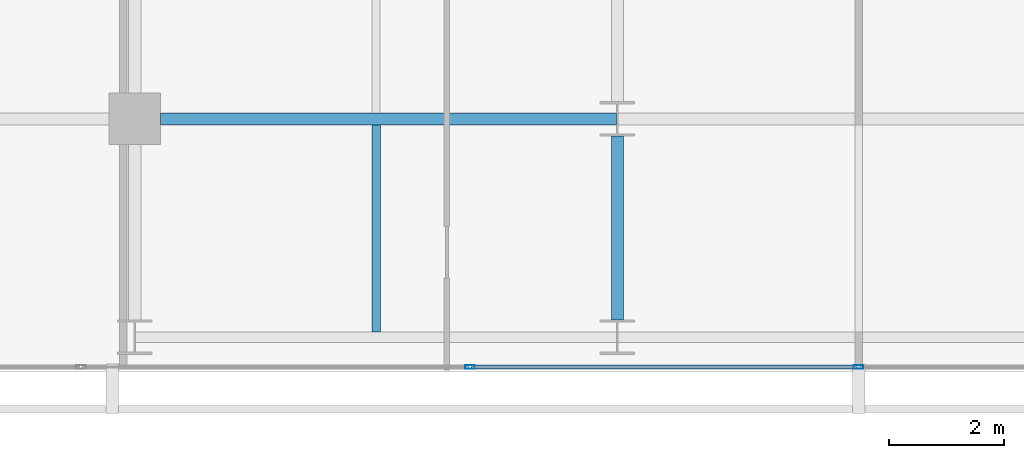
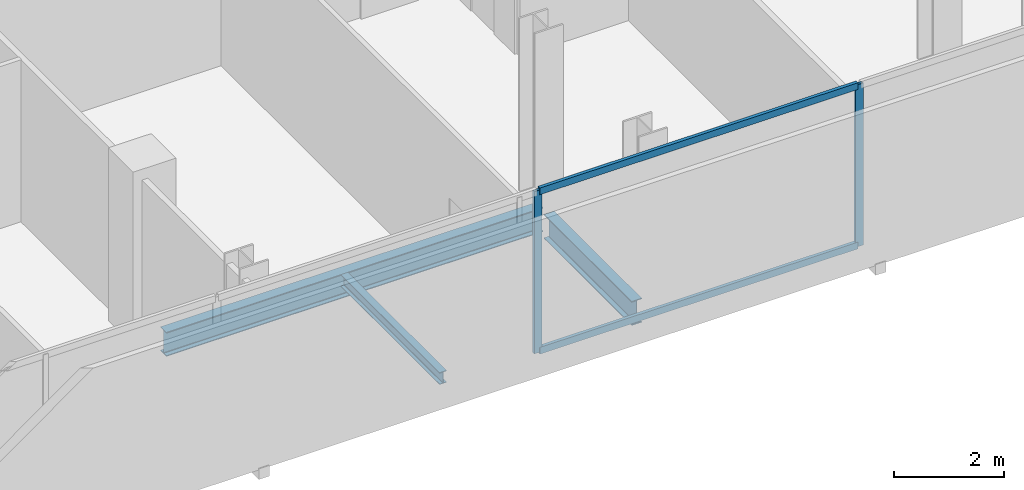
# One storey, part 6 of 34: 4 members, 3 beams, 1 element without a shape of its own.
"""IFC4 building model written with IfcOpenShell, lengths in metres."""

from ifc_helpers import new_model, si_unit, direction, frame, origin, origin_2d, place, context, subcontext, project, spatial, hollow_rectangle, i_section, extrude, material, layer, layer_set, material_profile, profile_set, type_object, element, aggregate, save


model = new_model("IFC4")

# Units and contexts
model_context = context("Model", 3, precision=1e-05, world=origin(), true_north=direction((0.0, 1.0)))
body_context = subcontext(model_context, "Body", "Model", "MODEL_VIEW")
ifc_project = project(units=[si_unit("LENGTHUNIT", "METRE"), si_unit("AREAUNIT", "SQUARE_METRE"), si_unit("VOLUMEUNIT", "CUBIC_METRE"), si_unit("PLANEANGLEUNIT", "RADIAN"), si_unit("MASSUNIT", "GRAM", prefix="KILO")], contexts=[model_context])

# Site, building, storey
site_placement = place(None, origin())
site = spatial("IfcSite", under=ifc_project, at=site_placement, CompositionType="ELEMENT")
building_placement = place(site_placement, origin())
building = spatial("IfcBuilding", under=site, at=building_placement, Name="Maruvema Waterfront Hotel and Observation Tower", CompositionType="ELEMENT")
storey_placement = place(building_placement, frame((0.0, 0.0, 208.25)))
storey = spatial("IfcBuildingStorey", under=building, at=storey_placement, Name="L51", CompositionType="ELEMENT", Elevation=208.25)

# Curtain wall, members
ifc_material_1 = material(Name="Anodised bronze aluminium and solar-control low-E IGU", Category="aluminium")
ifc_layer = layer(ifc_material_1, 0.159912109375, Name="Zone 2 Amber Inner Thermal Curtain Wall System CW-03")
ifc_layer_set = layer_set([ifc_layer], Name="Anodised bronze aluminium and solar-control low-E IGU")
curtain_wall_type = type_object("IfcCurtainWallType", Name="Zone 2 Amber Inner Thermal Curtain Wall System CW-03", PredefinedType="USERDEFINED", material=ifc_layer_set)
curtain_wall_placement = place(storey_placement, origin())
curtain_wall = element("IfcCurtainWall", 1, at=curtain_wall_placement, inside=storey, type_object=curtain_wall_type, Name="L51 Curtain Wall CW-L51-S", ObjectType="UNITISED CURTAIN WALL", PredefinedType="USERDEFINED")
ifc_material_2 = material(Name="Anodised architectural bronze aluminium", Category="aluminium")
ifc_material_profile_1 = material_profile(ifc_material_2, hollow_rectangle(XDim=0.070068359375, YDim=0.14990234375, WallThickness=0.00390625, at=origin_2d()), Name="ALU-T70x150")
ifc_profile_set_1 = profile_set([ifc_material_profile_1], Name="Anodised architectural bronze aluminium")
member_type_1 = type_object("IfcMemberType", Name="Curtain Wall Horizontal Transom ALU-T70x150", PredefinedType="USERDEFINED", material=ifc_profile_set_1)
member_1_placement = place(storey_placement, frame((31.063232421875, 4.679931640625, 0.030029296875), z_axis=(1.0, 0.0, 0.0), x_axis=(0.0, 1.0, 0.0)))
member_1 = element("IfcMember", 2, at=member_1_placement, type_object=member_type_1, Name="CW-03 transom 3.1", ObjectType="TRANSOM", PredefinedType="USERDEFINED", context=body_context, shape_type="SweptSolid", body=[
    extrude(hollow_rectangle(XDim=0.070068359375, YDim=0.14990234375, WallThickness=0.00390625, at=origin_2d()), origin(), (0.0, 0.0, 1.0), 6.706787109375),
])
member_2_placement = place(storey_placement, frame((31.063232421875, 4.679931640625, 3.580078125), z_axis=(1.0, 0.0, 0.0), x_axis=(0.0, 1.0, 0.0)))
member_2 = element("IfcMember", 3, at=member_2_placement, type_object=member_type_1, Name="CW-03 transom 3.2", ObjectType="TRANSOM", PredefinedType="USERDEFINED", context=body_context, shape_type="SweptSolid", body=[
    extrude(hollow_rectangle(XDim=0.070068359375, YDim=0.14990234375, WallThickness=0.00390625, at=origin_2d()), origin(), (0.0, 0.0, 1.0), 6.706787109375),
])
ifc_material_3 = material(Name="Anodised architectural bronze aluminium", Category="aluminium")
ifc_material_profile_2 = material_profile(ifc_material_3, hollow_rectangle(XDim=0.06494140625, YDim=0.1650390625, WallThickness=0.00390625, at=origin_2d()), Name="ALU-M65x165")
ifc_profile_set_2 = profile_set([ifc_material_profile_2], Name="Anodised architectural bronze aluminium")
member_type_2 = type_object("IfcMemberType", Name="Curtain Wall Primary Mullion ALU-M65x165", PredefinedType="MULLION", material=ifc_profile_set_2)
member_3_placement = place(storey_placement, frame((31.033447265625, 4.679931640625, 0.0), z_axis=(0.0, 0.0, 1.0), x_axis=(0.0, 1.0, 0.0)))
member_3 = element("IfcMember", 4, at=member_3_placement, type_object=member_type_2, Name="CW-03 mullion 3", PredefinedType="MULLION", context=body_context, shape_type="SweptSolid", body=[
    extrude(hollow_rectangle(XDim=0.06494140625, YDim=0.1650390625, WallThickness=0.00390625, at=origin_2d()), origin(), (0.0, 0.0, 1.0), 3.610107421875),
])
member_4_placement = place(storey_placement, frame((37.800048828125, 4.679931640625, 0.0), z_axis=(0.0, 0.0, 1.0), x_axis=(0.0, 1.0, 0.0)))
member_4 = element("IfcMember", 5, at=member_4_placement, type_object=member_type_2, Name="CW-03 mullion 4", PredefinedType="MULLION", context=body_context, shape_type="SweptSolid", body=[
    extrude(hollow_rectangle(XDim=0.06494140625, YDim=0.1650390625, WallThickness=0.00390625, at=origin_2d()), origin(), (0.0, 0.0, 1.0), 3.610107421875),
])
aggregate(curtain_wall, [member_3, member_4, member_1, member_2])

# Beams
ifc_material_4 = material(Name="Steel ASTM A572 Grade 50", Category="steel")
ifc_material_profile_3 = material_profile(ifc_material_4, i_section(OverallWidth=0.2109375, OverallDepth=0.5390625, WebThickness=0.01171875, FlangeThickness=0.018798828125, FilletRadius=0.014892578125, at=origin_2d()), Name="W530x109.0")
ifc_profile_set_3 = profile_set([ifc_material_profile_3], Name="Steel ASTM A572 Grade 50")
beam_type_1 = type_object("IfcBeamType", Name="Primary Floor Girder W530x109.0", PredefinedType="BEAM", material=ifc_profile_set_3)
beam_1_placement = place(storey_placement, frame((25.64990234375, 9.0, -0.509521484375), z_axis=(1.0, 0.0, 0.0), x_axis=(0.0, 1.0, 0.0)))
element("IfcBeam", 6, at=beam_1_placement, inside=storey, type_object=beam_type_1, Name="L51 Floor Girder EW-06", PredefinedType="BEAM", context=body_context, shape_type="SweptSolid", body=[
    extrude(i_section(OverallWidth=0.2109375, OverallDepth=0.5390625, WebThickness=0.01171875, FlangeThickness=0.018798828125, FilletRadius=0.014892578125, at=origin_2d()), origin(), (0.0, 0.0, 1.0), 7.9375),
])
beam_2_placement = place(storey_placement, frame((33.60009765625, 5.5, -0.509521484375), z_axis=(0.0, 1.0, 0.0), x_axis=(-1.0, 0.0, 0.0)))
element("IfcBeam", 7, at=beam_2_placement, inside=storey, type_object=beam_type_1, Name="L51 Floor Girder NS-14", PredefinedType="BEAM", context=body_context, shape_type="SweptSolid", body=[
    extrude(i_section(OverallWidth=0.2109375, OverallDepth=0.5390625, WebThickness=0.01171875, FlangeThickness=0.018798828125, FilletRadius=0.014892578125, at=origin_2d()), origin(), (0.0, 0.0, 1.0), 3.199951171875),
])
ifc_material_5 = material(Name="Steel ASTM A572 Grade 50", Category="steel")
ifc_material_profile_4 = material_profile(ifc_material_5, i_section(OverallWidth=0.14794921875, OverallDepth=0.26611328125, WebThickness=0.007568359375, FlangeThickness=0.012939453125, FilletRadius=0.012939453125, at=origin_2d()), Name="W250x44.8")
ifc_profile_set_4 = profile_set([ifc_material_profile_4], Name="Steel ASTM A572 Grade 50")
beam_type_2 = type_object("IfcBeamType", Name="Secondary Floor Joist W250x44.8", PredefinedType="JOIST", material=ifc_profile_set_4)
beam_3_placement = place(storey_placement, frame((29.39990234375, 5.28955078125, -0.373046875), z_axis=(0.0, 1.0, 0.0), x_axis=(-1.0, 0.0, 0.0)))
element("IfcBeam", 8, at=beam_3_placement, inside=storey, type_object=beam_type_2, Name="L51 Secondary Floor Joist JS-05", PredefinedType="JOIST", context=body_context, shape_type="SweptSolid", body=[
    extrude(i_section(OverallWidth=0.14794921875, OverallDepth=0.26611328125, WebThickness=0.007568359375, FlangeThickness=0.012939453125, FilletRadius=0.012939453125, at=origin_2d()), origin(), (0.0, 0.0, 1.0), 3.60498046875),
])

save(model, "model.ifc")
